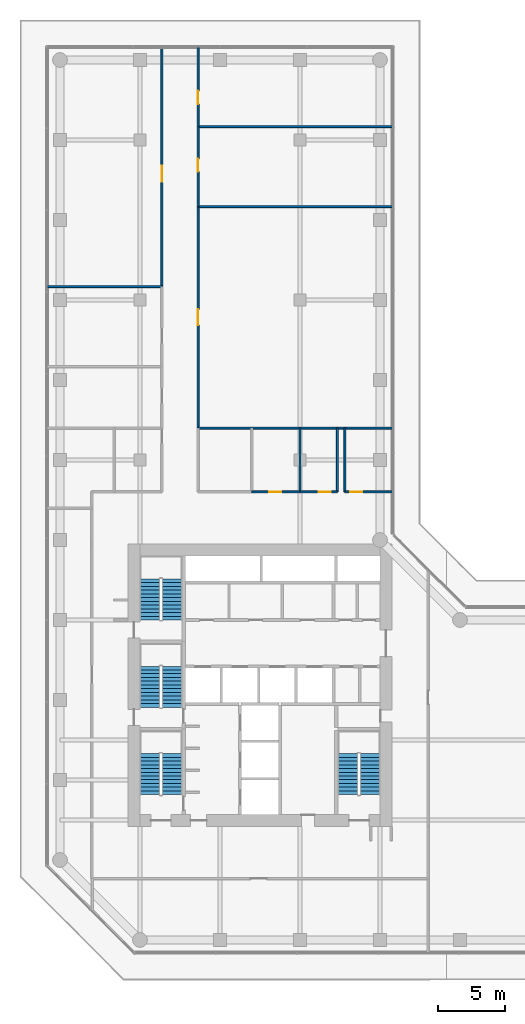
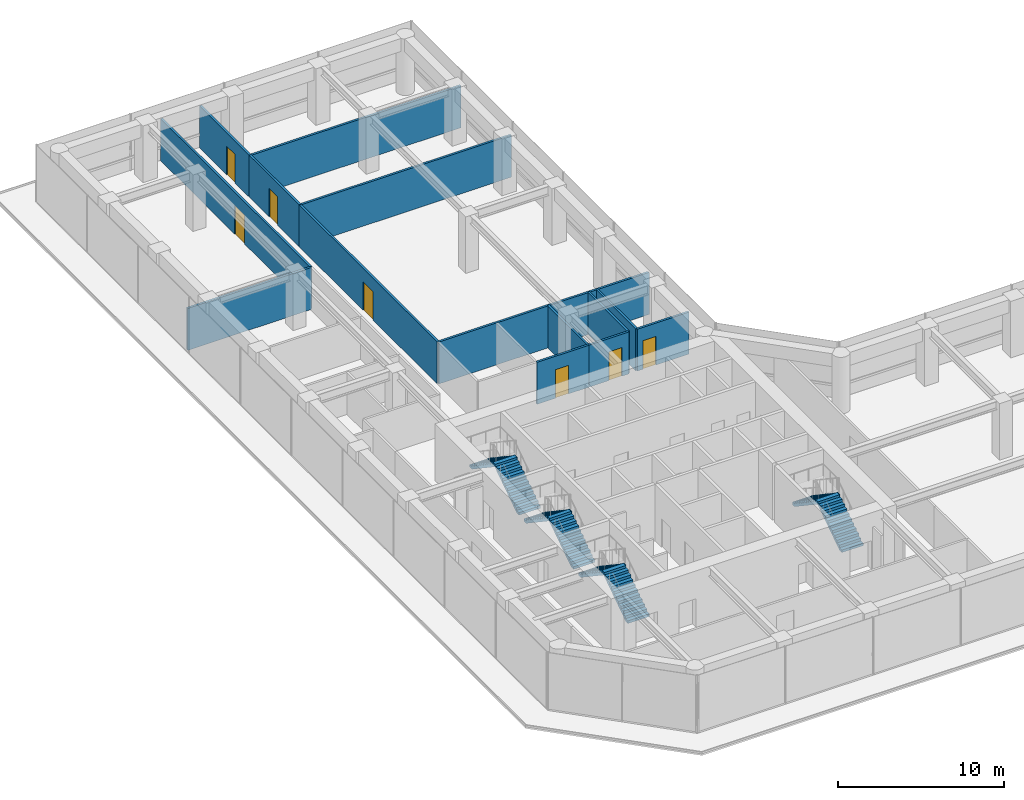
# One storey, part 23 of 24: 14 walls, 8 stair flights, 7 doors, 7 openings, 4 elements without a shape of their own.
"""IFC4 building model written with IfcOpenShell, lengths in metres."""

import ifcopenshell
import ifcopenshell.guid

model = None  # the IFC model being written
_history = None  # IfcOwnerHistory: only IFC2X3 demands one
_inside = {}  # id of a spatial element -> (the spatial element, [elements in it])
_under = {}  # id of a project, library or spatial element -> (it, [spatial elements below it])
_declared = {}  # id of a project -> (the project, [libraries it declares])
_typed = {}  # id of a type object -> (the type object, [elements of that type])
_made_of = {}  # id of a material, layer set ... -> (it, [elements and type objects made of it])


def new_model(schema):
    """Start an empty IFC model of exactly this schema.

    Asked for "IFC4X3", IfcOpenShell would pick the latest addendum, in which some entities
    have other attributes; the version numbers below select the first issue.
    IFC2X3 requires an IfcOwnerHistory on every rooted entity: one is made here for all.
    """
    global model, _history
    if schema == "IFC4X3":
        model = ifcopenshell.file(schema_version=(4, 3, 0, 0))
    else:
        model = ifcopenshell.file(schema=schema)
    _inside.clear()
    _under.clear()
    _declared.clear()
    _typed.clear()
    _made_of.clear()
    _history = None
    if model.schema == "IFC2X3":
        org = make("IfcOrganization", Name="unknown")
        user = make(
            "IfcPersonAndOrganization",
            ThePerson=make("IfcPerson", FamilyName="unknown"),
            TheOrganization=org,
        )
        app = make(
            "IfcApplication",
            ApplicationDeveloper=org,
            Version="unknown",
            ApplicationFullName="unknown",
            ApplicationIdentifier="unknown",
        )
        _history = make(
            "IfcOwnerHistory",
            OwningUser=user,
            OwningApplication=app,
            ChangeAction="ADDED",
            CreationDate=0,
        )
    return model


def make(cls, **values):
    """One entity of the class cls with the attributes given. An attribute that is None is left unset."""
    return model.create_entity(
        cls, **{name: value for name, value in values.items() if value is not None}
    )


def rooted(cls, **values):
    """An entity with a GlobalId (a new one), such as an element, a storey or a relation."""
    return make(cls, GlobalId=ifcopenshell.guid.new(), OwnerHistory=_history, **values)


def si_unit(unit_type, name, prefix=None):
    """IfcSIUnit, for example si_unit("LENGTHUNIT", "METRE", prefix="MILLI")."""
    return make("IfcSIUnit", UnitType=unit_type, Prefix=prefix, Name=name)


def assignment(units):
    """IfcUnitAssignment: the units of a project."""
    return None if units is None else make("IfcUnitAssignment", Units=units)


def point(xyz):
    """IfcCartesianPoint."""
    return None if xyz is None else make("IfcCartesianPoint", Coordinates=xyz)


def direction(xyz):
    """IfcDirection."""
    return None if xyz is None else make("IfcDirection", DirectionRatios=xyz)


def frame(location, z_axis=None, x_axis=None):
    """IfcAxis2Placement3D, a coordinate frame: its origin and axes. An axis left out is left unset."""
    return make(
        "IfcAxis2Placement3D",
        Location=point(location),
        Axis=direction(z_axis),
        RefDirection=direction(x_axis),
    )


def frame_2d(location, x_axis=None):
    """IfcAxis2Placement2D, a coordinate frame in the plane: its origin and x axis."""
    return make(
        "IfcAxis2Placement2D", Location=point(location), RefDirection=direction(x_axis)
    )


def origin():
    """The frame at (0, 0, 0) with its axes left unset."""
    return frame((0.0, 0.0, 0.0))


def place(relative_to, where):
    """IfcLocalPlacement: puts the frame where relative to a parent placement (None: the world)."""
    return make(
        "IfcLocalPlacement", PlacementRelTo=relative_to, RelativePlacement=where
    )


def context(
    kind, dimensions, precision=None, world=None, true_north=None, identifier=None
):
    """IfcGeometricRepresentationContext, for example the 3D "Model" context."""
    return make(
        "IfcGeometricRepresentationContext",
        ContextIdentifier=identifier,
        ContextType=kind,
        CoordinateSpaceDimension=dimensions,
        Precision=precision,
        WorldCoordinateSystem=world,
        TrueNorth=true_north,
    )


def subcontext(parent, identifier, kind, view, scale=None):
    """IfcGeometricRepresentationSubContext, for example "Body" below "Model"."""
    return make(
        "IfcGeometricRepresentationSubContext",
        ContextIdentifier=identifier,
        ContextType=kind,
        ParentContext=parent,
        TargetScale=scale,
        TargetView=view,
    )


def project(units=None, contexts=None):
    """IfcProject with its units and contexts."""
    return rooted(
        "IfcProject",
        Name="project",
        RepresentationContexts=contexts,
        UnitsInContext=assignment(units),
    )


def spatial(cls, under=None, at=None, **own):
    """A site, building, storey or space (cls), placed at a placement, below another one or the project."""
    s = rooted(cls, ObjectPlacement=at, **own)
    if under is not None:
        _under.setdefault(under.id(), (under, []))[1].append(s)
    return s


def polyline(points):
    """IfcPolyline through the points."""
    return make("IfcPolyline", Points=[point(p) for p in points])


def profile(cls, at=None, kind="AREA", **sizes):
    """A parametric profile (cls). Its sizes go by their IFC names, for example OverallWidth=200.0."""
    return make(cls, ProfileType=kind, Position=at, **sizes)


def rectangle(**sizes):
    """IfcRectangleProfileDef."""
    return profile("IfcRectangleProfileDef", **sizes)


def outline(outer, holes=None, kind="AREA"):
    """IfcArbitraryClosedProfileDef: a profile drawn as a closed curve; with holes, ...WithVoids."""
    if holes is None:
        return make("IfcArbitraryClosedProfileDef", ProfileType=kind, OuterCurve=outer)
    return make(
        "IfcArbitraryProfileDefWithVoids",
        ProfileType=kind,
        OuterCurve=outer,
        InnerCurves=holes,
    )


def extrude(swept, where, along, depth):
    """IfcExtrudedAreaSolid: the profile swept, set in the frame where, extruded along a direction by depth."""
    return make(
        "IfcExtrudedAreaSolid",
        SweptArea=swept,
        Position=where,
        ExtrudedDirection=direction(along),
        Depth=depth,
    )


def shape(context_of_items, identifier, shape_type, items):
    """IfcShapeRepresentation: the items that make up one representation, for example the "Body"."""
    return make(
        "IfcShapeRepresentation",
        ContextOfItems=context_of_items,
        RepresentationIdentifier=identifier,
        RepresentationType=shape_type,
        Items=items,
    )


def material(Name=None, Category=None):
    """IfcMaterial."""
    return make("IfcMaterial", Name=Name, Category=Category)


def layer(
    of_material, thickness, ventilated=None, Name=None, Category=None, Priority=None
):
    """IfcMaterialLayer: one layer of a wall or slab, of a material (None: an air gap)."""
    return make(
        "IfcMaterialLayer",
        Material=of_material,
        LayerThickness=thickness,
        IsVentilated=ventilated,
        Name=Name,
        Category=Category,
        Priority=Priority,
    )


def layer_set(layers, Name=None):
    """IfcMaterialLayerSet."""
    return make("IfcMaterialLayerSet", MaterialLayers=layers, LayerSetName=Name)


def made_of(thing, what):
    """Note that an element or type object is made of a material, layer set ...; save() writes the relation."""
    if what is not None:
        _made_of.setdefault(what.id(), (what, []))[1].append(thing)
    return thing


def type_object(cls, material=None, **own):
    """A type object (cls), such as IfcWallType, which elements share."""
    return made_of(rooted(cls, **own), material)


def element(
    cls,
    number,
    at=None,
    inside=None,
    cuts=None,
    type_object=None,
    material=None,
    context=None,
    identifier="Body",
    shape_type=None,
    held_by="IfcProductDefinitionShape",
    body=None,
    shapes=None,
    **own,
):
    """One element of the class cls, such as IfcWall. Its Tag is "e" and its number.

    at: its placement. inside: the storey or other place that contains it. cuts: it is an
    opening in that element (IfcRelVoidsElement). A single representation is given by context,
    identifier, shape_type and body (its items); several are given by shapes. held_by: the class
    of the entity that holds the representations. save() writes the other relations.
    """
    e = rooted(cls, Tag="e%d" % number, ObjectPlacement=at, **own)
    if body is not None:
        shapes = [shape(context, identifier, shape_type, body)]
    if shapes is not None:
        e.Representation = make(held_by, Representations=shapes)
    if inside is not None:
        _inside.setdefault(inside.id(), (inside, []))[1].append(e)
    if cuts is not None:
        rooted(
            "IfcRelVoidsElement", RelatingBuildingElement=cuts, RelatedOpeningElement=e
        )
    if type_object is not None:
        _typed.setdefault(type_object.id(), (type_object, []))[1].append(e)
    return made_of(e, material)


def fill(opening, filler):
    """IfcRelFillsElement: the door or window that sits in an opening."""
    return rooted(
        "IfcRelFillsElement",
        RelatingOpeningElement=opening,
        RelatedBuildingElement=filler,
    )


def aggregate(whole, parts):
    """IfcRelAggregates: a whole, such as a stair, and the parts it consists of."""
    return rooted("IfcRelAggregates", RelatingObject=whole, RelatedObjects=parts)


def save(model, path):
    """Write the relations noted so far, then the file.

    IfcRelAggregates (storeys below a building ...), IfcRelContainedInSpatialStructure (elements
    in a storey), IfcRelDefinesByType, IfcRelAssociatesMaterial and IfcRelDeclares: one each for
    every whole, place, type object, material and project.
    """
    for whole, parts in _under.values():
        aggregate(whole, parts)
    for where, things in _inside.values():
        rooted(
            "IfcRelContainedInSpatialStructure",
            RelatedElements=things,
            RelatingStructure=where,
        )
    for kind, things in _typed.values():
        rooted("IfcRelDefinesByType", RelatedObjects=things, RelatingType=kind)
    for what, things in _made_of.values():
        rooted("IfcRelAssociatesMaterial", RelatedObjects=things, RelatingMaterial=what)
    for by, libraries in _declared.values():
        rooted("IfcRelDeclares", RelatingContext=by, RelatedDefinitions=libraries)
    model.write(path)


model = new_model("IFC4")

# Units and contexts
model_context = context("Model", 3, precision=1e-05, world=origin(), true_north=direction((0.0, 1.0)))
body_context = subcontext(model_context, "Body", "Model", "MODEL_VIEW")
ifc_project = project(units=[si_unit("LENGTHUNIT", "METRE"), si_unit("AREAUNIT", "SQUARE_METRE"), si_unit("VOLUMEUNIT", "CUBIC_METRE"), si_unit("PLANEANGLEUNIT", "RADIAN"), si_unit("MASSUNIT", "GRAM", prefix="KILO")], contexts=[model_context])

# Site, building, storey
site_placement = place(None, origin())
site = spatial("IfcSite", under=ifc_project, at=site_placement, CompositionType="ELEMENT")
building_placement = place(site_placement, origin())
building = spatial("IfcBuilding", under=site, at=building_placement, Name="Welwitschia Terrace Campus", CompositionType="ELEMENT")
storey_placement = place(building_placement, frame((0.0, 0.0, 24.5)))
storey = spatial("IfcBuildingStorey", under=building, at=storey_placement, Name="L05", CompositionType="ELEMENT", Elevation=24.5)

# Wall
ifc_material_1 = material(Name="Gypsum board on steel studs", Category="steel")
ifc_layer = layer(ifc_material_1, 0.14990234375)
ifc_layer_set = layer_set([ifc_layer], Name="Gypsum board on steel studs")
wall_type = type_object("IfcWallType", Name="Corridor partition 150 EI 30", PredefinedType="PARTITIONING", material=ifc_layer_set)
wall_1_placement = place(storey_placement, frame((-0.969970703125, 45.0, 0.0), z_axis=(0.0, 0.0, 1.0), x_axis=(1.0, 0.0, 0.0)))
element("IfcWall", 1, at=wall_1_placement, inside=storey, type_object=wall_type, Name="Partition", PredefinedType="PARTITIONING", context=body_context, shape_type="SweptSolid", body=[
    extrude(rectangle(XDim=8.619873046875, YDim=0.14990234375, at=frame_2d((4.31005859375, 0.0))), origin(), (0.0, 0.0, 1.0), 3.080078125),
])

# Wall, opening, door
wall_2_placement = place(storey_placement, frame((7.64990234375, 45.0, 0.0), z_axis=(0.0, 0.0, 1.0), x_axis=(0.0, 1.0, 0.0)))
wall_2 = element("IfcWall", 2, at=wall_2_placement, inside=storey, type_object=wall_type, Name="Partition", PredefinedType="PARTITIONING", context=body_context, shape_type="SweptSolid", body=[
    extrude(rectangle(XDim=17.969970703125, YDim=0.14990234375, at=frame_2d((8.98486328125, 0.0))), origin(), (0.0, 0.0, 1.0), 3.080078125),
])
opening_1_placement = place(wall_2_placement, frame((7.8701171875, 0.0, 0.0)))
opening_1 = element("IfcOpeningElement", 3, at=opening_1_placement, cuts=wall_2, Name="Opening DI12", PredefinedType="OPENING", context=body_context, shape_type="SweptSolid", body=[
    extrude(rectangle(XDim=1.199951171875, YDim=2.10009765625, at=frame_2d((0.60009765625, 1.050048828125))), frame((0.0, 0.0849609375, 0.0), z_axis=(0.0, -1.0, 0.0), x_axis=(1.0, 0.0, 0.0)), (0.0, 0.0, 1.0), 0.169921875),
])
ifc_material_2 = material(Name="Timber veneered door", Category="wood")
door_type_1 = type_object("IfcDoorType", Name="Interior door DI12", OperationType="NOTDEFINED", PredefinedType="DOOR", material=ifc_material_2)
door_1_placement = place(opening_1_placement, origin())
door_1 = element("IfcDoor", 4, at=door_1_placement, inside=storey, type_object=door_type_1, Name="Door L05 139", OperationType="SINGLE_SWING_RIGHT", OverallHeight=2.10009765625, OverallWidth=1.199951171875, PredefinedType="DOOR", context=body_context, shape_type="SweptSolid", body=[
    extrude(rectangle(XDim=1.199951171875, YDim=2.10009765625, at=frame_2d((0.60009765625, 1.050048828125))), frame((0.0, 0.02490234375, 0.0), z_axis=(0.0, -1.0, 0.0), x_axis=(1.0, 0.0, 0.0)), (0.0, 0.0, 1.0), 0.050048828125),
])
fill(opening_1, door_1)

# Wall
wall_3_placement = place(storey_placement, frame((10.35009765625, 34.39990234375, 0.0), z_axis=(0.0, 0.0, 1.0), x_axis=(1.0, 0.0, 0.0)))
element("IfcWall", 5, at=wall_3_placement, inside=storey, type_object=wall_type, Name="Partition", PredefinedType="PARTITIONING", context=body_context, shape_type="SweptSolid", body=[
    extrude(rectangle(XDim=14.619873046875, YDim=0.14990234375, at=frame_2d((7.31005859375, 0.0))), origin(), (0.0, 0.0, 1.0), 3.080078125),
])

# Wall, opening, door
wall_4_placement = place(storey_placement, frame((10.35009765625, 51.0, 0.0), z_axis=(0.0, 0.0, 1.0), x_axis=(0.0, -1.0, 0.0)))
wall_4 = element("IfcWall", 6, at=wall_4_placement, inside=storey, type_object=wall_type, Name="Partition", PredefinedType="PARTITIONING", context=body_context, shape_type="SweptSolid", body=[
    extrude(rectangle(XDim=16.60009765625, YDim=0.14990234375, at=frame_2d((8.300048828125, 0.0))), origin(), (0.0, 0.0, 1.0), 3.080078125),
])
opening_2_placement = place(wall_4_placement, frame((7.699951171875, 0.0, 0.0)))
opening_2 = element("IfcOpeningElement", 7, at=opening_2_placement, cuts=wall_4, Name="Opening DI12", PredefinedType="OPENING", context=body_context, shape_type="SweptSolid", body=[
    extrude(rectangle(XDim=1.199951171875, YDim=2.10009765625, at=frame_2d((0.60009765625, 1.050048828125))), frame((0.0, 0.0849609375, 0.0), z_axis=(0.0, -1.0, 0.0), x_axis=(1.0, 0.0, 0.0)), (0.0, 0.0, 1.0), 0.169921875),
])
door_2_placement = place(opening_2_placement, origin())
door_2 = element("IfcDoor", 8, at=door_2_placement, inside=storey, type_object=door_type_1, Name="Door L05 140", OperationType="SINGLE_SWING_LEFT", OverallHeight=2.10009765625, OverallWidth=1.199951171875, PredefinedType="DOOR", context=body_context, shape_type="SweptSolid", body=[
    extrude(rectangle(XDim=1.199951171875, YDim=2.10009765625, at=frame_2d((0.60009765625, 1.050048828125))), frame((0.0, 0.02490234375, 0.0), z_axis=(0.0, -1.0, 0.0), x_axis=(1.0, 0.0, 0.0)), (0.0, 0.0, 1.0), 0.050048828125),
])
fill(opening_2, door_2)

# Wall
wall_5_placement = place(storey_placement, frame((10.35009765625, 51.0, 0.0), z_axis=(0.0, 0.0, 1.0), x_axis=(1.0, 0.0, 0.0)))
element("IfcWall", 9, at=wall_5_placement, inside=storey, type_object=wall_type, Name="Partition", PredefinedType="PARTITIONING", context=body_context, shape_type="SweptSolid", body=[
    extrude(rectangle(XDim=14.619873046875, YDim=0.14990234375, at=frame_2d((7.31005859375, 0.0))), origin(), (0.0, 0.0, 1.0), 3.080078125),
])

# Wall, opening, door
wall_6_placement = place(storey_placement, frame((10.35009765625, 57.0, 0.0), z_axis=(0.0, 0.0, 1.0), x_axis=(0.0, -1.0, 0.0)))
wall_6 = element("IfcWall", 10, at=wall_6_placement, inside=storey, type_object=wall_type, Name="Partition", PredefinedType="PARTITIONING", context=body_context, shape_type="SweptSolid", body=[
    extrude(rectangle(XDim=6.0, YDim=0.14990234375, at=frame_2d((3.0, 0.0))), origin(), (0.0, 0.0, 1.0), 3.080078125),
])
opening_3_placement = place(wall_6_placement, frame((2.39990234375, 0.0, 0.0)))
opening_3 = element("IfcOpeningElement", 11, at=opening_3_placement, cuts=wall_6, Name="Opening DI10", PredefinedType="OPENING", context=body_context, shape_type="SweptSolid", body=[
    extrude(rectangle(XDim=1.0, YDim=2.10009765625, at=frame_2d((0.5, 1.050048828125))), frame((0.0, 0.0849609375, 0.0), z_axis=(0.0, -1.0, 0.0), x_axis=(1.0, 0.0, 0.0)), (0.0, 0.0, 1.0), 0.169921875),
])
ifc_material_3 = material(Name="Timber veneered door", Category="wood")
door_type_2 = type_object("IfcDoorType", Name="Interior door DI10", OperationType="NOTDEFINED", PredefinedType="DOOR", material=ifc_material_3)
door_3_placement = place(opening_3_placement, origin())
door_3 = element("IfcDoor", 12, at=door_3_placement, inside=storey, type_object=door_type_2, Name="Door L05 141", OperationType="SINGLE_SWING_RIGHT", OverallHeight=2.10009765625, OverallWidth=1.0, PredefinedType="DOOR", context=body_context, shape_type="SweptSolid", body=[
    extrude(rectangle(XDim=1.0, YDim=2.10009765625, at=frame_2d((0.5, 1.050048828125))), frame((0.0, 0.02490234375, 0.0), z_axis=(0.0, -1.0, 0.0), x_axis=(1.0, 0.0, 0.0)), (0.0, 0.0, 1.0), 0.050048828125),
])
fill(opening_3, door_3)

# Wall
wall_7_placement = place(storey_placement, frame((10.35009765625, 57.0, 0.0), z_axis=(0.0, 0.0, 1.0), x_axis=(1.0, 0.0, 0.0)))
element("IfcWall", 13, at=wall_7_placement, inside=storey, type_object=wall_type, Name="Partition", PredefinedType="PARTITIONING", context=body_context, shape_type="SweptSolid", body=[
    extrude(rectangle(XDim=14.60498046875, YDim=0.14990234375, at=frame_2d((7.302490234375, 0.0))), origin(), (0.0, 0.0, 1.0), 3.080078125),
])

# Wall, opening, door
wall_8_placement = place(storey_placement, frame((10.35009765625, 62.969970703125, 0.0), z_axis=(0.0, 0.0, 1.0), x_axis=(0.0, -1.0, 0.0)))
wall_8 = element("IfcWall", 14, at=wall_8_placement, inside=storey, type_object=wall_type, Name="Partition", PredefinedType="PARTITIONING", context=body_context, shape_type="SweptSolid", body=[
    extrude(rectangle(XDim=5.969970703125, YDim=0.14990234375, at=frame_2d((2.98486328125, 0.0))), origin(), (0.0, 0.0, 1.0), 3.080078125),
])
opening_4_placement = place(wall_8_placement, frame((3.27001953125, 0.0, 0.0)))
opening_4 = element("IfcOpeningElement", 15, at=opening_4_placement, cuts=wall_8, Name="Opening DI10", PredefinedType="OPENING", context=body_context, shape_type="SweptSolid", body=[
    extrude(rectangle(XDim=1.0, YDim=2.10009765625, at=frame_2d((0.5, 1.050048828125))), frame((0.0, 0.0849609375, 0.0), z_axis=(0.0, -1.0, 0.0), x_axis=(1.0, 0.0, 0.0)), (0.0, 0.0, 1.0), 0.169921875),
])
door_4_placement = place(opening_4_placement, origin())
door_4 = element("IfcDoor", 16, at=door_4_placement, inside=storey, type_object=door_type_2, Name="Door L05 142", OperationType="SINGLE_SWING_LEFT", OverallHeight=2.10009765625, OverallWidth=1.0, PredefinedType="DOOR", context=body_context, shape_type="SweptSolid", body=[
    extrude(rectangle(XDim=1.0, YDim=2.10009765625, at=frame_2d((0.5, 1.050048828125))), frame((0.0, 0.02490234375, 0.0), z_axis=(0.0, -1.0, 0.0), x_axis=(1.0, 0.0, 0.0)), (0.0, 0.0, 1.0), 0.050048828125),
])
fill(opening_4, door_4)

wall_9_placement = place(storey_placement, frame((14.39990234375, 29.60009765625, 0.0), z_axis=(0.0, 0.0, 1.0), x_axis=(1.0, 0.0, 0.0)))
wall_9 = element("IfcWall", 17, at=wall_9_placement, inside=storey, type_object=wall_type, Name="Partition", PredefinedType="PARTITIONING", context=body_context, shape_type="SweptSolid", body=[
    extrude(rectangle(XDim=3.60009765625, YDim=0.14990234375, at=frame_2d((1.800048828125, 0.0))), origin(), (0.0, 0.0, 1.0), 3.080078125),
])
opening_5_placement = place(wall_9_placement, frame((1.300048828125, 0.0, 0.0)))
opening_5 = element("IfcOpeningElement", 18, at=opening_5_placement, cuts=wall_9, Name="Opening DI09", PredefinedType="OPENING", context=body_context, shape_type="SweptSolid", body=[
    extrude(rectangle(XDim=0.89990234375, YDim=2.10009765625, at=frame_2d((0.449951171875, 1.050048828125))), frame((0.0, 0.0849609375, 0.0), z_axis=(0.0, -1.0, 0.0), x_axis=(1.0, 0.0, 0.0)), (0.0, 0.0, 1.0), 0.169921875),
])
ifc_material_4 = material(Name="Timber veneered door", Category="wood")
door_type_3 = type_object("IfcDoorType", Name="Interior door DI09", OperationType="NOTDEFINED", PredefinedType="DOOR", material=ifc_material_4)
door_5_placement = place(opening_5_placement, origin())
door_5 = element("IfcDoor", 19, at=door_5_placement, inside=storey, type_object=door_type_3, Name="Door L05 143", OperationType="SINGLE_SWING_RIGHT", OverallHeight=2.10009765625, OverallWidth=0.89990234375, PredefinedType="DOOR", context=body_context, shape_type="SweptSolid", body=[
    extrude(rectangle(XDim=0.89990234375, YDim=2.10009765625, at=frame_2d((0.449951171875, 1.050048828125))), frame((0.0, 0.02490234375, 0.0), z_axis=(0.0, -1.0, 0.0), x_axis=(1.0, 0.0, 0.0)), (0.0, 0.0, 1.0), 0.050048828125),
])
fill(opening_5, door_5)

# Wall
wall_10_placement = place(storey_placement, frame((18.0, 29.60009765625, 0.0), z_axis=(0.0, 0.0, 1.0), x_axis=(0.0, 1.0, 0.0)))
element("IfcWall", 20, at=wall_10_placement, inside=storey, type_object=wall_type, Name="Partition", PredefinedType="PARTITIONING", context=body_context, shape_type="SweptSolid", body=[
    extrude(rectangle(XDim=4.7998046875, YDim=0.14990234375, at=frame_2d((2.39990234375, 0.0))), origin(), (0.0, 0.0, 1.0), 3.080078125),
])

# Wall, opening, door
wall_11_placement = place(storey_placement, frame((18.0, 29.60009765625, 0.0), z_axis=(0.0, 0.0, 1.0), x_axis=(1.0, 0.0, 0.0)))
wall_11 = element("IfcWall", 21, at=wall_11_placement, inside=storey, type_object=wall_type, Name="Partition", PredefinedType="PARTITIONING", context=body_context, shape_type="SweptSolid", body=[
    extrude(rectangle(XDim=2.800048828125, YDim=0.14990234375, at=frame_2d((1.39990234375, 0.0))), origin(), (0.0, 0.0, 1.0), 3.080078125),
])
opening_6_placement = place(wall_11_placement, frame((1.39990234375, 0.0, 0.0)))
opening_6 = element("IfcOpeningElement", 22, at=opening_6_placement, cuts=wall_11, Name="Opening DI09", PredefinedType="OPENING", context=body_context, shape_type="SweptSolid", body=[
    extrude(rectangle(XDim=0.89990234375, YDim=2.10009765625, at=frame_2d((0.449951171875, 1.050048828125))), frame((0.0, 0.0849609375, 0.0), z_axis=(0.0, -1.0, 0.0), x_axis=(1.0, 0.0, 0.0)), (0.0, 0.0, 1.0), 0.169921875),
])
door_6_placement = place(opening_6_placement, origin())
door_6 = element("IfcDoor", 23, at=door_6_placement, inside=storey, type_object=door_type_3, Name="Door L05 144", OperationType="SINGLE_SWING_LEFT", OverallHeight=2.10009765625, OverallWidth=0.89990234375, PredefinedType="DOOR", context=body_context, shape_type="SweptSolid", body=[
    extrude(rectangle(XDim=0.89990234375, YDim=2.10009765625, at=frame_2d((0.449951171875, 1.050048828125))), frame((0.0, 0.02490234375, 0.0), z_axis=(0.0, -1.0, 0.0), x_axis=(1.0, 0.0, 0.0)), (0.0, 0.0, 1.0), 0.050048828125),
])
fill(opening_6, door_6)

# Walls
for number, where, z_axis, x_axis, name in (
    (24, (20.800048828125, 29.60009765625, 0.0), (0.0, 0.0, 1.0), (0.0, 1.0, 0.0), "Partition"),
    (25, (21.3701171875, 29.60009765625, 0.0), (0.0, 0.0, 1.0), (0.0, 1.0, 0.0), "Partition"),
):
    element("IfcWall", number, at=place(storey_placement, frame(where, z_axis=z_axis, x_axis=x_axis)), inside=storey, type_object=wall_type, Name=name, PredefinedType="PARTITIONING", context=body_context, shape_type="SweptSolid", body=[
        extrude(rectangle(XDim=4.7998046875, YDim=0.14990234375, at=frame_2d((2.39990234375, 0.0))), origin(), (0.0, 0.0, 1.0), 3.080078125),
    ])

# Wall, opening, door
wall_12_placement = place(storey_placement, frame((21.3701171875, 29.60009765625, 0.0), z_axis=(0.0, 0.0, 1.0), x_axis=(1.0, 0.0, 0.0)))
wall_12 = element("IfcWall", 26, at=wall_12_placement, inside=storey, type_object=wall_type, Name="Partition", PredefinedType="PARTITIONING", context=body_context, shape_type="SweptSolid", body=[
    extrude(rectangle(XDim=3.599853515625, YDim=0.14990234375, at=frame_2d((1.7998046875, 0.0))), origin(), (0.0, 0.0, 1.0), 3.080078125),
])
opening_7_placement = place(wall_12_placement, frame((0.39990234375, 0.0, 0.0)))
opening_7 = element("IfcOpeningElement", 27, at=opening_7_placement, cuts=wall_12, Name="Opening DI09", PredefinedType="OPENING", context=body_context, shape_type="SweptSolid", body=[
    extrude(rectangle(XDim=0.89990234375, YDim=2.10009765625, at=frame_2d((0.449951171875, 1.050048828125))), frame((0.0, 0.0849609375, 0.0), z_axis=(0.0, -1.0, 0.0), x_axis=(1.0, 0.0, 0.0)), (0.0, 0.0, 1.0), 0.169921875),
])
door_7_placement = place(opening_7_placement, origin())
door_7 = element("IfcDoor", 28, at=door_7_placement, inside=storey, type_object=door_type_3, Name="Door L05 145", OperationType="SINGLE_SWING_RIGHT", OverallHeight=2.10009765625, OverallWidth=0.89990234375, PredefinedType="DOOR", context=body_context, shape_type="SweptSolid", body=[
    extrude(rectangle(XDim=0.89990234375, YDim=2.10009765625, at=frame_2d((0.449951171875, 1.050048828125))), frame((0.0, 0.02490234375, 0.0), z_axis=(0.0, -1.0, 0.0), x_axis=(1.0, 0.0, 0.0)), (0.0, 0.0, 1.0), 0.050048828125),
])
fill(opening_7, door_7)

# Stair, stair flights
ifc_material_5 = material(Name="Concrete C40/50", Category="concrete")
stair_type = type_object("IfcStairType", Name="Stair 24R 188 W1500", PredefinedType="HALF_TURN_STAIR", material=ifc_material_5)
stair_1_placement = place(storey_placement, origin())
stair_1 = element("IfcStair", 29, at=stair_1_placement, inside=storey, type_object=stair_type, Name="L05 Exit stair S1", PredefinedType="HALF_TURN_STAIR")
ifc_material_6 = material(Name="Concrete C40/50", Category="concrete")
stair_flight_type = type_object("IfcStairFlightType", Name="Stair flight 24R 188 W1500", PredefinedType="STRAIGHT", material=ifc_material_6)
stair_flight_1_placement = place(storey_placement, frame((8.39990234375, 6.89990234375, 0.0), z_axis=(0.0, 0.0, 1.0), x_axis=(0.0, 1.0, 0.0)))
stair_flight_1 = element("IfcStairFlight", 30, at=stair_flight_1_placement, type_object=stair_flight_type, Name="S1 flight 1", NumberOfRisers=12, NumberOfTreads=11, PredefinedType="STRAIGHT", RiserHeight=0.1875, TreadLength=0.28, context=body_context, shape_type="SweptSolid", body=[
    extrude(outline(polyline([(0.0, 0.0), (0.0, 0.1875), (0.280029296875, 0.1875), (0.280029296875, 0.375), (0.56005859375, 0.375), (0.56005859375, 0.5625), (0.840087890625, 0.5625), (0.840087890625, 0.75), (1.1201171875, 0.75), (1.1201171875, 0.9375), (1.39990234375, 0.9375), (1.39990234375, 1.125), (1.679931640625, 1.125), (1.679931640625, 1.3125), (1.9599609375, 1.3125), (1.9599609375, 1.5), (2.239990234375, 1.5), (2.239990234375, 1.6875), (2.52001953125, 1.6875), (2.52001953125, 1.875), (2.800048828125, 1.875), (2.800048828125, 2.0625), (3.080078125, 2.0625), (3.080078125, 2.25), (3.080078125, 1.882080078125), (0.26953125, 0.0), (0.0, 0.0)])), frame((0.0, 0.75, 0.0), z_axis=(0.0, -1.0, 0.0), x_axis=(1.0, 0.0, 0.0)), (0.0, 0.0, 1.0), 1.5),
])
stair_flight_2_placement = place(storey_placement, frame((6.75, 9.97998046875, 2.25), z_axis=(0.0, 0.0, 1.0), x_axis=(0.0, -1.0, 0.0)))
stair_flight_2 = element("IfcStairFlight", 31, at=stair_flight_2_placement, type_object=stair_flight_type, Name="S1 flight 2", NumberOfRisers=12, NumberOfTreads=11, PredefinedType="STRAIGHT", RiserHeight=0.1875, TreadLength=0.28, context=body_context, shape_type="SweptSolid", body=[
    extrude(outline(polyline([(0.0, 0.0), (0.0, 0.1875), (0.280029296875, 0.1875), (0.280029296875, 0.375), (0.56005859375, 0.375), (0.56005859375, 0.5625), (0.840087890625, 0.5625), (0.840087890625, 0.75), (1.1201171875, 0.75), (1.1201171875, 0.9375), (1.39990234375, 0.9375), (1.39990234375, 1.125), (1.679931640625, 1.125), (1.679931640625, 1.3125), (1.9599609375, 1.3125), (1.9599609375, 1.5), (2.239990234375, 1.5), (2.239990234375, 1.6875), (2.52001953125, 1.6875), (2.52001953125, 1.875), (2.800048828125, 1.875), (2.800048828125, 2.0625), (3.080078125, 2.0625), (3.080078125, 2.25), (3.080078125, 1.882080078125), (0.26953125, 0.0), (0.0, 0.0)])), frame((0.0, 0.75, 0.0), z_axis=(0.0, -1.0, 0.0), x_axis=(1.0, 0.0, 0.0)), (0.0, 0.0, 1.0), 1.5),
])
aggregate(stair_1, [stair_flight_1, stair_flight_2])

stair_2_placement = place(storey_placement, origin())
stair_2 = element("IfcStair", 32, at=stair_2_placement, inside=storey, type_object=stair_type, Name="L05 Exit stair S3", PredefinedType="HALF_TURN_STAIR")
stair_flight_3_placement = place(storey_placement, frame((8.39990234375, 13.449951171875, 0.0), z_axis=(0.0, 0.0, 1.0), x_axis=(0.0, 1.0, 0.0)))
stair_flight_3 = element("IfcStairFlight", 33, at=stair_flight_3_placement, type_object=stair_flight_type, Name="S3 flight 1", NumberOfRisers=12, NumberOfTreads=11, PredefinedType="STRAIGHT", RiserHeight=0.1875, TreadLength=0.28, context=body_context, shape_type="SweptSolid", body=[
    extrude(outline(polyline([(0.0, 0.0), (0.0, 0.1875), (0.280029296875, 0.1875), (0.280029296875, 0.375), (0.56005859375, 0.375), (0.56005859375, 0.5625), (0.840087890625, 0.5625), (0.840087890625, 0.75), (1.1201171875, 0.75), (1.1201171875, 0.9375), (1.39990234375, 0.9375), (1.39990234375, 1.125), (1.679931640625, 1.125), (1.679931640625, 1.3125), (1.9599609375, 1.3125), (1.9599609375, 1.5), (2.239990234375, 1.5), (2.239990234375, 1.6875), (2.52001953125, 1.6875), (2.52001953125, 1.875), (2.800048828125, 1.875), (2.800048828125, 2.0625), (3.080078125, 2.0625), (3.080078125, 2.25), (3.080078125, 1.882080078125), (0.26953125, 0.0), (0.0, 0.0)])), frame((0.0, 0.75, 0.0), z_axis=(0.0, -1.0, 0.0), x_axis=(1.0, 0.0, 0.0)), (0.0, 0.0, 1.0), 1.5),
])
stair_flight_4_placement = place(storey_placement, frame((6.75, 16.530029296875, 2.25), z_axis=(0.0, 0.0, 1.0), x_axis=(0.0, -1.0, 0.0)))
stair_flight_4 = element("IfcStairFlight", 34, at=stair_flight_4_placement, type_object=stair_flight_type, Name="S3 flight 2", NumberOfRisers=12, NumberOfTreads=11, PredefinedType="STRAIGHT", RiserHeight=0.1875, TreadLength=0.28, context=body_context, shape_type="SweptSolid", body=[
    extrude(outline(polyline([(0.0, 0.0), (0.0, 0.1875), (0.280029296875, 0.1875), (0.280029296875, 0.375), (0.56005859375, 0.375), (0.56005859375, 0.5625), (0.840087890625, 0.5625), (0.840087890625, 0.75), (1.1201171875, 0.75), (1.1201171875, 0.9375), (1.39990234375, 0.9375), (1.39990234375, 1.125), (1.679931640625, 1.125), (1.679931640625, 1.3125), (1.9599609375, 1.3125), (1.9599609375, 1.5), (2.239990234375, 1.5), (2.239990234375, 1.6875), (2.52001953125, 1.6875), (2.52001953125, 1.875), (2.800048828125, 1.875), (2.800048828125, 2.0625), (3.080078125, 2.0625), (3.080078125, 2.25), (3.080078125, 1.882080078125), (0.26953125, 0.0), (0.0, 0.0)])), frame((0.0, 0.75, 0.0), z_axis=(0.0, -1.0, 0.0), x_axis=(1.0, 0.0, 0.0)), (0.0, 0.0, 1.0), 1.5),
])
aggregate(stair_2, [stair_flight_3, stair_flight_4])

stair_3_placement = place(storey_placement, origin())
stair_3 = element("IfcStair", 35, at=stair_3_placement, inside=storey, type_object=stair_type, Name="L05 Exit stair S4", PredefinedType="HALF_TURN_STAIR")
stair_flight_5_placement = place(storey_placement, frame((8.39990234375, 20.0, 0.0), z_axis=(0.0, 0.0, 1.0), x_axis=(0.0, 1.0, 0.0)))
stair_flight_5 = element("IfcStairFlight", 36, at=stair_flight_5_placement, type_object=stair_flight_type, Name="S4 flight 1", NumberOfRisers=12, NumberOfTreads=11, PredefinedType="STRAIGHT", RiserHeight=0.1875, TreadLength=0.28, context=body_context, shape_type="SweptSolid", body=[
    extrude(outline(polyline([(0.0, 0.0), (0.0, 0.1875), (0.280029296875, 0.1875), (0.280029296875, 0.375), (0.56005859375, 0.375), (0.56005859375, 0.5625), (0.840087890625, 0.5625), (0.840087890625, 0.75), (1.1201171875, 0.75), (1.1201171875, 0.9375), (1.39990234375, 0.9375), (1.39990234375, 1.125), (1.679931640625, 1.125), (1.679931640625, 1.3125), (1.9599609375, 1.3125), (1.9599609375, 1.5), (2.239990234375, 1.5), (2.239990234375, 1.6875), (2.52001953125, 1.6875), (2.52001953125, 1.875), (2.800048828125, 1.875), (2.800048828125, 2.0625), (3.080078125, 2.0625), (3.080078125, 2.25), (3.080078125, 1.882080078125), (0.26953125, 0.0), (0.0, 0.0)])), frame((0.0, 0.75, 0.0), z_axis=(0.0, -1.0, 0.0), x_axis=(1.0, 0.0, 0.0)), (0.0, 0.0, 1.0), 1.5),
])
stair_flight_6_placement = place(storey_placement, frame((6.75, 23.080078125, 2.25), z_axis=(0.0, 0.0, 1.0), x_axis=(0.0, -1.0, 0.0)))
stair_flight_6 = element("IfcStairFlight", 37, at=stair_flight_6_placement, type_object=stair_flight_type, Name="S4 flight 2", NumberOfRisers=12, NumberOfTreads=11, PredefinedType="STRAIGHT", RiserHeight=0.1875, TreadLength=0.28, context=body_context, shape_type="SweptSolid", body=[
    extrude(outline(polyline([(0.0, 0.0), (0.0, 0.1875), (0.280029296875, 0.1875), (0.280029296875, 0.375), (0.56005859375, 0.375), (0.56005859375, 0.5625), (0.840087890625, 0.5625), (0.840087890625, 0.75), (1.1201171875, 0.75), (1.1201171875, 0.9375), (1.39990234375, 0.9375), (1.39990234375, 1.125), (1.679931640625, 1.125), (1.679931640625, 1.3125), (1.9599609375, 1.3125), (1.9599609375, 1.5), (2.239990234375, 1.5), (2.239990234375, 1.6875), (2.52001953125, 1.6875), (2.52001953125, 1.875), (2.800048828125, 1.875), (2.800048828125, 2.0625), (3.080078125, 2.0625), (3.080078125, 2.25), (3.080078125, 1.882080078125), (0.26953125, 0.0), (0.0, 0.0)])), frame((0.0, 0.75, 0.0), z_axis=(0.0, -1.0, 0.0), x_axis=(1.0, 0.0, 0.0)), (0.0, 0.0, 1.0), 1.5),
])
aggregate(stair_3, [stair_flight_5, stair_flight_6])

stair_4_placement = place(storey_placement, origin())
stair_4 = element("IfcStair", 38, at=stair_4_placement, inside=storey, type_object=stair_type, Name="L05 Exit stair S2", PredefinedType="HALF_TURN_STAIR")
stair_flight_7_placement = place(storey_placement, frame((23.25, 6.89990234375, 0.0), z_axis=(0.0, 0.0, 1.0), x_axis=(0.0, 1.0, 0.0)))
stair_flight_7 = element("IfcStairFlight", 39, at=stair_flight_7_placement, type_object=stair_flight_type, Name="S2 flight 1", NumberOfRisers=12, NumberOfTreads=11, PredefinedType="STRAIGHT", RiserHeight=0.1875, TreadLength=0.28, context=body_context, shape_type="SweptSolid", body=[
    extrude(outline(polyline([(0.0, 0.0), (0.0, 0.1875), (0.280029296875, 0.1875), (0.280029296875, 0.375), (0.56005859375, 0.375), (0.56005859375, 0.5625), (0.840087890625, 0.5625), (0.840087890625, 0.75), (1.1201171875, 0.75), (1.1201171875, 0.9375), (1.39990234375, 0.9375), (1.39990234375, 1.125), (1.679931640625, 1.125), (1.679931640625, 1.3125), (1.9599609375, 1.3125), (1.9599609375, 1.5), (2.239990234375, 1.5), (2.239990234375, 1.6875), (2.52001953125, 1.6875), (2.52001953125, 1.875), (2.800048828125, 1.875), (2.800048828125, 2.0625), (3.080078125, 2.0625), (3.080078125, 2.25), (3.080078125, 1.882080078125), (0.26953125, 0.0), (0.0, 0.0)])), frame((0.0, 0.75, 0.0), z_axis=(0.0, -1.0, 0.0), x_axis=(1.0, 0.0, 0.0)), (0.0, 0.0, 1.0), 1.5),
])
stair_flight_8_placement = place(storey_placement, frame((21.60009765625, 9.97998046875, 2.25), z_axis=(0.0, 0.0, 1.0), x_axis=(0.0, -1.0, 0.0)))
stair_flight_8 = element("IfcStairFlight", 40, at=stair_flight_8_placement, type_object=stair_flight_type, Name="S2 flight 2", NumberOfRisers=12, NumberOfTreads=11, PredefinedType="STRAIGHT", RiserHeight=0.1875, TreadLength=0.28, context=body_context, shape_type="SweptSolid", body=[
    extrude(outline(polyline([(0.0, 0.0), (0.0, 0.1875), (0.280029296875, 0.1875), (0.280029296875, 0.375), (0.56005859375, 0.375), (0.56005859375, 0.5625), (0.840087890625, 0.5625), (0.840087890625, 0.75), (1.1201171875, 0.75), (1.1201171875, 0.9375), (1.39990234375, 0.9375), (1.39990234375, 1.125), (1.679931640625, 1.125), (1.679931640625, 1.3125), (1.9599609375, 1.3125), (1.9599609375, 1.5), (2.239990234375, 1.5), (2.239990234375, 1.6875), (2.52001953125, 1.6875), (2.52001953125, 1.875), (2.800048828125, 1.875), (2.800048828125, 2.0625), (3.080078125, 2.0625), (3.080078125, 2.25), (3.080078125, 1.882080078125), (0.26953125, 0.0), (0.0, 0.0)])), frame((0.0, 0.75, 0.0), z_axis=(0.0, -1.0, 0.0), x_axis=(1.0, 0.0, 0.0)), (0.0, 0.0, 1.0), 1.5),
])
aggregate(stair_4, [stair_flight_7, stair_flight_8])

save(model, "model.ifc")
